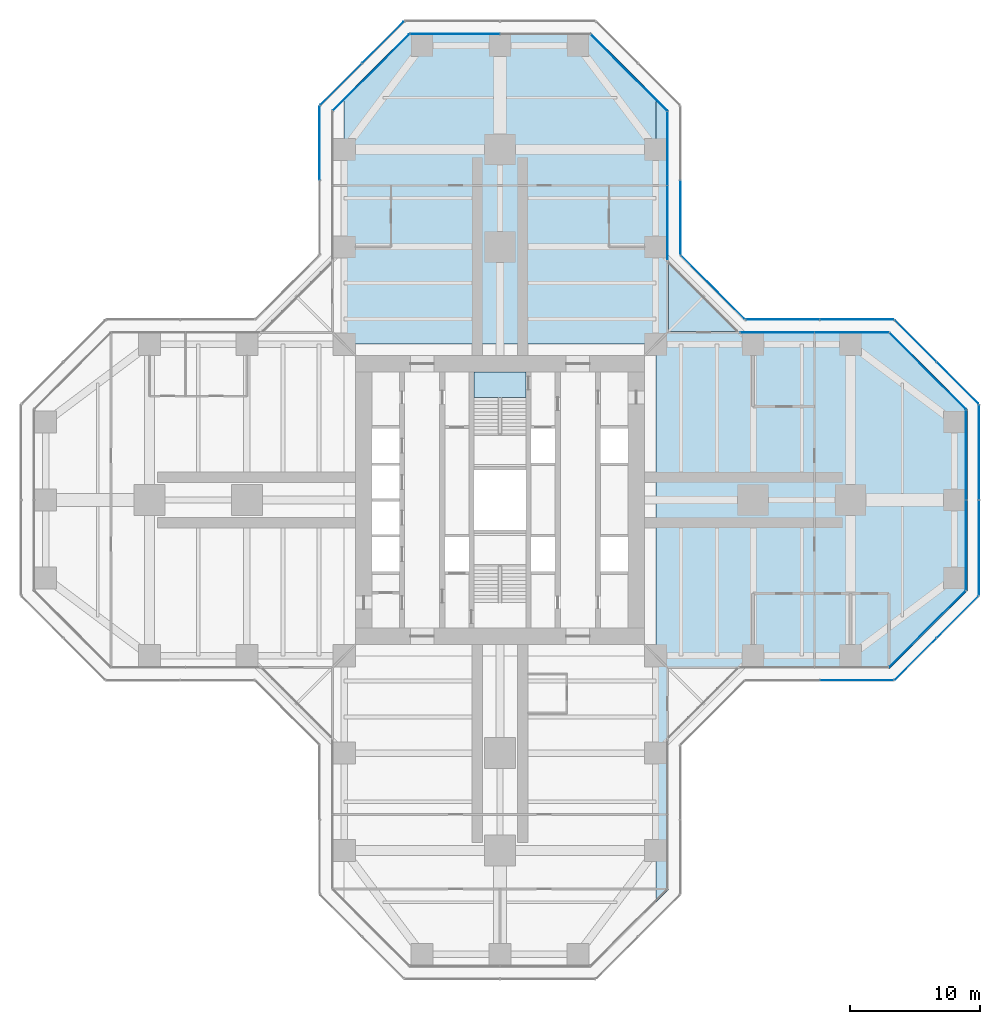
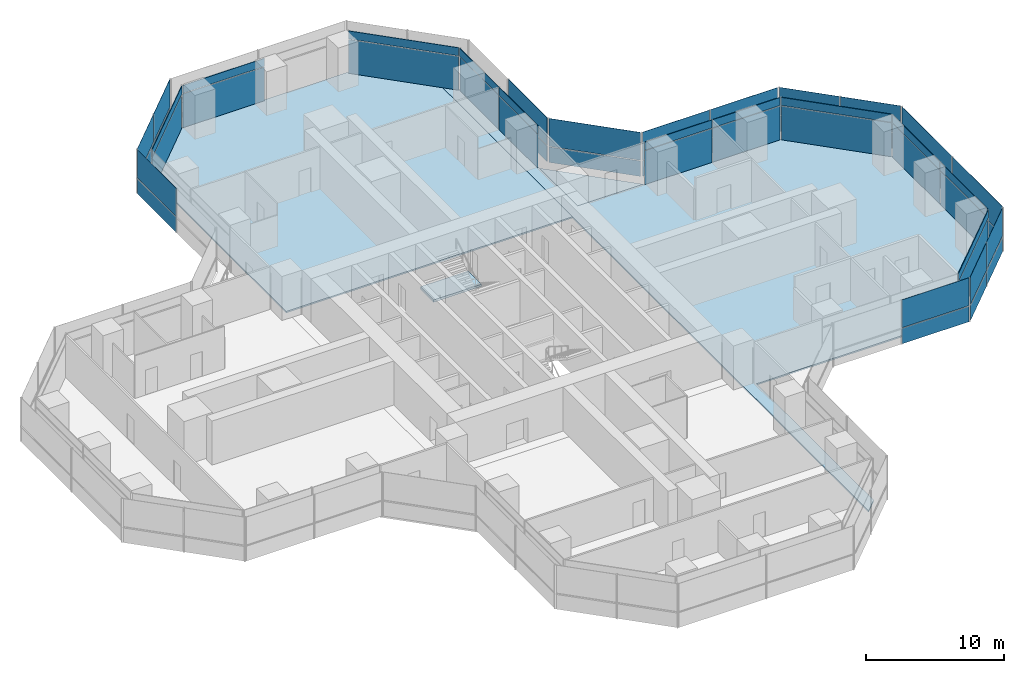
# One storey, part 16 of 22: 50 plates, 4 slabs, 18 elements without a shape of their own.
"""IFC4 building model written with IfcOpenShell, lengths in metres."""

from ifc_helpers import new_model, si_unit, direction, frame, origin, origin_2d, place, context, subcontext, project, spatial, polyline, rectangle, outline, extrude, material, layer, layer_set, type_object, element, aggregate, save


model = new_model("IFC4")

# Units and contexts
model_context = context("Model", 3, precision=1e-05, world=origin(), true_north=direction((0.0, 1.0)))
body_context = subcontext(model_context, "Body", "Model", "MODEL_VIEW")
ifc_project = project(units=[si_unit("LENGTHUNIT", "METRE"), si_unit("AREAUNIT", "SQUARE_METRE"), si_unit("VOLUMEUNIT", "CUBIC_METRE"), si_unit("PLANEANGLEUNIT", "RADIAN"), si_unit("MASSUNIT", "GRAM", prefix="KILO")], contexts=[model_context])

# Site, building, storey
site_placement = place(None, origin())
site = spatial("IfcSite", under=ifc_project, at=site_placement, CompositionType="ELEMENT")
building_placement = place(site_placement, origin())
building = spatial("IfcBuilding", under=site, at=building_placement, Name="Mizan Broadcast Tower", CompositionType="ELEMENT")
storey_placement = place(building_placement, frame((0.0, 0.0, 82.5)))
storey = spatial("IfcBuildingStorey", under=building, at=storey_placement, Name="L17", CompositionType="ELEMENT", Elevation=82.5)

# Slabs
ifc_material_1 = material(Name="Concrete C32/40", Category="concrete")
ifc_layer_1 = layer(ifc_material_1, 0.1298828125)
ifc_layer_set_1 = layer_set([ifc_layer_1], Name="Concrete C32/40")
slab_type_1 = type_object("IfcSlabType", Name="COMPOSITE DECK SLAB 130", PredefinedType="FLOOR", material=ifc_layer_set_1)
slab_1_placement = place(storey_placement, frame((0.0, 0.0, -0.1298828125)))
element("IfcSlab", 1, at=slab_1_placement, inside=storey, type_object=slab_type_1, Name="Floor slab L17 east arm", PredefinedType="FLOOR", context=body_context, shape_type="SweptSolid", body=[
    extrude(outline(polyline([(12.0, -31.0), (13.0, -30.0), (13.0, -13.0), (30.0, -13.0), (36.0, -7.0), (36.0, 7.0), (30.0, 13.0), (13.0, 13.0), (13.0, 30.0), (12.0, 31.0), (12.0, -31.0)])), origin(), (0.0, 0.0, 1.0), 0.1298828125),
])
slab_2_placement = place(storey_placement, frame((0.0, 0.0, -0.1298828125)))
element("IfcSlab", 2, at=slab_2_placement, inside=storey, type_object=slab_type_1, Name="Floor slab L17 north arm", PredefinedType="FLOOR", context=body_context, shape_type="SweptSolid", body=[
    extrude(outline(polyline([(-7.0, 36.0), (-12.0, 31.0), (-12.0, 12.0), (12.0, 12.0), (12.0, 31.0), (7.0, 36.0), (-7.0, 36.0)])), origin(), (0.0, 0.0, 1.0), 0.1298828125),
])

# Curtain wall, plate
ifc_material_2 = material(Name="Aluminium framed glazing", Category="aluminium")
curtain_wall_type_1 = type_object("IfcCurtainWallType", Name="INNER SKIN LOW ZONE", PredefinedType="USERDEFINED", material=ifc_material_2)
curtain_wall_1_placement = place(storey_placement, origin())
curtain_wall_1 = element("IfcCurtainWall", 3, at=curtain_wall_1_placement, inside=storey, type_object=curtain_wall_type_1, Name="Inner skin low zone L17 E chamfer", ObjectType="INNER SKIN LOW ZONE", PredefinedType="USERDEFINED")
ifc_material_3 = material(Name="Double glazing, clear low-e", Category="glass")
ifc_layer_2 = layer(ifc_material_3, 0.028076171875)
ifc_layer_set_2 = layer_set([ifc_layer_2], Name="Double glazing, clear low-e")
plate_type_1 = type_object("IfcPlateType", Name="INNER SKIN GLAZING UNIT", PredefinedType="CURTAIN_PANEL", material=ifc_layer_set_2)
plate_1_placement = place(storey_placement, frame((32.92919921875, -9.92919921875, 0.0), z_axis=(0.0, 0.0, 1.0), x_axis=(0.707106781187, 0.707106781187, 0.0)))
plate_1 = element("IfcPlate", 4, at=plate_1_placement, type_object=plate_type_1, Name="Inner skin low zone L17 E chamfer panel 1.1", PredefinedType="CURTAIN_PANEL", context=body_context, shape_type="SweptSolid", body=[
    extrude(rectangle(XDim=8.282470703125, YDim=0.028076171875, at=origin_2d()), origin(), (0.0, 0.0, 1.0), 3.0),
])

# Curtain wall, plates
curtain_wall_2_placement = place(storey_placement, origin())
curtain_wall_2 = element("IfcCurtainWall", 5, at=curtain_wall_2_placement, inside=storey, type_object=curtain_wall_type_1, Name="Inner skin low zone L17 E end", ObjectType="INNER SKIN LOW ZONE", PredefinedType="USERDEFINED")
plate_2_placement = place(storey_placement, frame((35.89990234375, -3.46435546875, 0.0), z_axis=(0.0, 0.0, 1.0), x_axis=(0.0, 1.0, 0.0)))
plate_2 = element("IfcPlate", 6, at=plate_2_placement, type_object=plate_type_1, Name="Inner skin low zone L17 E end panel 1.1", PredefinedType="CURTAIN_PANEL", context=body_context, shape_type="SweptSolid", body=[
    extrude(rectangle(XDim=6.86865234375, YDim=0.028076171875, at=origin_2d()), origin(), (0.0, 0.0, 1.0), 3.0),
])
plate_3_placement = place(storey_placement, frame((35.89990234375, 3.46435546875, 0.0), z_axis=(0.0, 0.0, 1.0), x_axis=(0.0, 1.0, 0.0)))
plate_3 = element("IfcPlate", 7, at=plate_3_placement, type_object=plate_type_1, Name="Inner skin low zone L17 E end panel 2.1", PredefinedType="CURTAIN_PANEL", context=body_context, shape_type="SweptSolid", body=[
    extrude(rectangle(XDim=6.86865234375, YDim=0.028076171875, at=origin_2d()), origin(), (0.0, 0.0, 1.0), 3.0),
])

# Curtain wall, plate
curtain_wall_3_placement = place(storey_placement, origin())
curtain_wall_3 = element("IfcCurtainWall", 8, at=curtain_wall_3_placement, inside=storey, type_object=curtain_wall_type_1, Name="Inner skin low zone L17 E chamfer", ObjectType="INNER SKIN LOW ZONE", PredefinedType="USERDEFINED")
plate_4_placement = place(storey_placement, frame((32.92919921875, 9.92919921875, 0.0), z_axis=(0.0, 0.0, 1.0), x_axis=(-0.707106781187, 0.707106781187, 0.0)))
plate_4 = element("IfcPlate", 9, at=plate_4_placement, type_object=plate_type_1, Name="Inner skin low zone L17 E chamfer panel 1.1", PredefinedType="CURTAIN_PANEL", context=body_context, shape_type="SweptSolid", body=[
    extrude(rectangle(XDim=8.282470703125, YDim=0.028076171875, at=origin_2d()), origin(), (0.0, 0.0, 1.0), 3.0),
])

# Curtain wall, plates
curtain_wall_4_placement = place(storey_placement, origin())
curtain_wall_4 = element("IfcCurtainWall", 10, at=curtain_wall_4_placement, inside=storey, type_object=curtain_wall_type_1, Name="Inner skin low zone L17 E side", ObjectType="INNER SKIN LOW ZONE", PredefinedType="USERDEFINED")
plate_5_placement = place(storey_placement, frame((27.078857421875, 12.89990234375, 0.0), z_axis=(0.0, 0.0, 1.0), x_axis=(-1.0, 0.0, 0.0)))
plate_5 = element("IfcPlate", 11, at=plate_5_placement, type_object=plate_type_1, Name="Inner skin low zone L17 E side panel 1.1", PredefinedType="CURTAIN_PANEL", context=body_context, shape_type="SweptSolid", body=[
    extrude(rectangle(XDim=5.639404296875, YDim=0.028076171875, at=origin_2d()), origin(), (0.0, 0.0, 1.0), 3.0),
])
plate_6_placement = place(storey_placement, frame((21.379638671875, 12.89990234375, 0.0), z_axis=(0.0, 0.0, 1.0), x_axis=(-1.0, 0.0, 0.0)))
plate_6 = element("IfcPlate", 12, at=plate_6_placement, type_object=plate_type_1, Name="Inner skin low zone L17 E side panel 2.1", PredefinedType="CURTAIN_PANEL", context=body_context, shape_type="SweptSolid", body=[
    extrude(rectangle(XDim=5.639404296875, YDim=0.028076171875, at=origin_2d()), origin(), (0.0, 0.0, 1.0), 3.0),
])

curtain_wall_5_placement = place(storey_placement, origin())
curtain_wall_5 = element("IfcCurtainWall", 13, at=curtain_wall_5_placement, inside=storey, type_object=curtain_wall_type_1, Name="Inner skin low zone L17 N side", ObjectType="INNER SKIN LOW ZONE", PredefinedType="USERDEFINED")
plate_7_placement = place(storey_placement, frame((12.89990234375, 21.379638671875, 0.0), z_axis=(0.0, 0.0, 1.0), x_axis=(0.0, 1.0, 0.0)))
plate_7 = element("IfcPlate", 14, at=plate_7_placement, type_object=plate_type_1, Name="Inner skin low zone L17 N side panel 1.1", PredefinedType="CURTAIN_PANEL", context=body_context, shape_type="SweptSolid", body=[
    extrude(rectangle(XDim=5.639404296875, YDim=0.028076171875, at=origin_2d()), origin(), (0.0, 0.0, 1.0), 3.0),
])
plate_8_placement = place(storey_placement, frame((12.89990234375, 27.078857421875, 0.0), z_axis=(0.0, 0.0, 1.0), x_axis=(0.0, 1.0, 0.0)))
plate_8 = element("IfcPlate", 15, at=plate_8_placement, type_object=plate_type_1, Name="Inner skin low zone L17 N side panel 2.1", PredefinedType="CURTAIN_PANEL", context=body_context, shape_type="SweptSolid", body=[
    extrude(rectangle(XDim=5.639404296875, YDim=0.028076171875, at=origin_2d()), origin(), (0.0, 0.0, 1.0), 3.0),
])

# Curtain wall, plate
curtain_wall_6_placement = place(storey_placement, origin())
curtain_wall_6 = element("IfcCurtainWall", 16, at=curtain_wall_6_placement, inside=storey, type_object=curtain_wall_type_1, Name="Inner skin low zone L17 N chamfer", ObjectType="INNER SKIN LOW ZONE", PredefinedType="USERDEFINED")
plate_9_placement = place(storey_placement, frame((9.92919921875, 32.92919921875, 0.0), z_axis=(0.0, 0.0, 1.0), x_axis=(-0.707106781187, 0.707106781187, 0.0)))
plate_9 = element("IfcPlate", 17, at=plate_9_placement, type_object=plate_type_1, Name="Inner skin low zone L17 N chamfer panel 1.1", PredefinedType="CURTAIN_PANEL", context=body_context, shape_type="SweptSolid", body=[
    extrude(rectangle(XDim=8.282470703125, YDim=0.028076171875, at=origin_2d()), origin(), (0.0, 0.0, 1.0), 3.0),
])

curtain_wall_7_placement = place(storey_placement, origin())
curtain_wall_7 = element("IfcCurtainWall", 18, at=curtain_wall_7_placement, inside=storey, type_object=curtain_wall_type_1, Name="Inner skin low zone L17 N end", ObjectType="INNER SKIN LOW ZONE", PredefinedType="USERDEFINED")
plate_10_placement = place(storey_placement, frame((-3.46435546875, 35.89990234375, 0.0), z_axis=(0.0, 0.0, 1.0), x_axis=(-1.0, 0.0, 0.0)))
plate_10 = element("IfcPlate", 19, at=plate_10_placement, type_object=plate_type_1, Name="Inner skin low zone L17 N end panel 2.1", PredefinedType="CURTAIN_PANEL", context=body_context, shape_type="SweptSolid", body=[
    extrude(rectangle(XDim=6.86865234375, YDim=0.028076171875, at=origin_2d()), origin(), (0.0, 0.0, 1.0), 3.0),
])

curtain_wall_8_placement = place(storey_placement, origin())
curtain_wall_8 = element("IfcCurtainWall", 20, at=curtain_wall_8_placement, inside=storey, type_object=curtain_wall_type_1, Name="Inner skin low zone L17 N chamfer", ObjectType="INNER SKIN LOW ZONE", PredefinedType="USERDEFINED")
plate_11_placement = place(storey_placement, frame((-9.92919921875, 32.92919921875, 0.0), z_axis=(0.0, 0.0, 1.0), x_axis=(-0.707106781187, -0.707106781187, 0.0)))
plate_11 = element("IfcPlate", 21, at=plate_11_placement, type_object=plate_type_1, Name="Inner skin low zone L17 N chamfer panel 1.1", PredefinedType="CURTAIN_PANEL", context=body_context, shape_type="SweptSolid", body=[
    extrude(rectangle(XDim=8.282470703125, YDim=0.028076171875, at=origin_2d()), origin(), (0.0, 0.0, 1.0), 3.0),
])

# Plate
ifc_material_4 = material(Name="Insulated aluminium spandrel panel, pale anodised", Category="aluminium")
ifc_layer_3 = layer(ifc_material_4, 0.050048828125)
ifc_layer_set_3 = layer_set([ifc_layer_3], Name="Insulated aluminium spandrel panel, pale anodised")
plate_type_2 = type_object("IfcPlateType", Name="INNER SKIN SPANDREL PANEL", PredefinedType="CURTAIN_PANEL", material=ifc_layer_set_3)
plate_12_placement = place(storey_placement, frame((32.92919921875, -9.92919921875, 3.06005859375), z_axis=(0.0, 0.0, 1.0), x_axis=(0.707106781187, 0.707106781187, 0.0)))
plate_12 = element("IfcPlate", 22, at=plate_12_placement, type_object=plate_type_2, Name="Inner skin low zone L17 E chamfer panel 1.2", PredefinedType="CURTAIN_PANEL", context=body_context, shape_type="SweptSolid", body=[
    extrude(rectangle(XDim=8.282470703125, YDim=0.050048828125, at=origin_2d()), origin(), (0.0, 0.0, 1.0), 0.7099609375),
])

aggregate(curtain_wall_1, [plate_1, plate_12])

plate_13_placement = place(storey_placement, frame((35.89990234375, -3.46435546875, 3.06005859375), z_axis=(0.0, 0.0, 1.0), x_axis=(0.0, 1.0, 0.0)))
plate_13 = element("IfcPlate", 23, at=plate_13_placement, type_object=plate_type_2, Name="Inner skin low zone L17 E end panel 1.2", PredefinedType="CURTAIN_PANEL", context=body_context, shape_type="SweptSolid", body=[
    extrude(rectangle(XDim=6.86865234375, YDim=0.050048828125, at=origin_2d()), origin(), (0.0, 0.0, 1.0), 0.7099609375),
])

plate_14_placement = place(storey_placement, frame((35.89990234375, 3.46435546875, 3.06005859375), z_axis=(0.0, 0.0, 1.0), x_axis=(0.0, 1.0, 0.0)))
plate_14 = element("IfcPlate", 24, at=plate_14_placement, type_object=plate_type_2, Name="Inner skin low zone L17 E end panel 2.2", PredefinedType="CURTAIN_PANEL", context=body_context, shape_type="SweptSolid", body=[
    extrude(rectangle(XDim=6.86865234375, YDim=0.050048828125, at=origin_2d()), origin(), (0.0, 0.0, 1.0), 0.7099609375),
])

aggregate(curtain_wall_2, [plate_2, plate_13, plate_3, plate_14])

plate_15_placement = place(storey_placement, frame((32.92919921875, 9.92919921875, 3.06005859375), z_axis=(0.0, 0.0, 1.0), x_axis=(-0.707106781187, 0.707106781187, 0.0)))
plate_15 = element("IfcPlate", 25, at=plate_15_placement, type_object=plate_type_2, Name="Inner skin low zone L17 E chamfer panel 1.2", PredefinedType="CURTAIN_PANEL", context=body_context, shape_type="SweptSolid", body=[
    extrude(rectangle(XDim=8.282470703125, YDim=0.050048828125, at=origin_2d()), origin(), (0.0, 0.0, 1.0), 0.7099609375),
])

aggregate(curtain_wall_3, [plate_4, plate_15])

plate_16_placement = place(storey_placement, frame((27.078857421875, 12.89990234375, 3.06005859375), z_axis=(0.0, 0.0, 1.0), x_axis=(-1.0, 0.0, 0.0)))
plate_16 = element("IfcPlate", 26, at=plate_16_placement, type_object=plate_type_2, Name="Inner skin low zone L17 E side panel 1.2", PredefinedType="CURTAIN_PANEL", context=body_context, shape_type="SweptSolid", body=[
    extrude(rectangle(XDim=5.639404296875, YDim=0.050048828125, at=origin_2d()), origin(), (0.0, 0.0, 1.0), 0.7099609375),
])

plate_17_placement = place(storey_placement, frame((21.379638671875, 12.89990234375, 3.06005859375), z_axis=(0.0, 0.0, 1.0), x_axis=(-1.0, 0.0, 0.0)))
plate_17 = element("IfcPlate", 27, at=plate_17_placement, type_object=plate_type_2, Name="Inner skin low zone L17 E side panel 2.2", PredefinedType="CURTAIN_PANEL", context=body_context, shape_type="SweptSolid", body=[
    extrude(rectangle(XDim=5.639404296875, YDim=0.050048828125, at=origin_2d()), origin(), (0.0, 0.0, 1.0), 0.7099609375),
])

aggregate(curtain_wall_4, [plate_5, plate_16, plate_6, plate_17])

plate_18_placement = place(storey_placement, frame((12.89990234375, 21.379638671875, 3.06005859375), z_axis=(0.0, 0.0, 1.0), x_axis=(0.0, 1.0, 0.0)))
plate_18 = element("IfcPlate", 28, at=plate_18_placement, type_object=plate_type_2, Name="Inner skin low zone L17 N side panel 1.2", PredefinedType="CURTAIN_PANEL", context=body_context, shape_type="SweptSolid", body=[
    extrude(rectangle(XDim=5.639404296875, YDim=0.050048828125, at=origin_2d()), origin(), (0.0, 0.0, 1.0), 0.7099609375),
])

plate_19_placement = place(storey_placement, frame((12.89990234375, 27.078857421875, 3.06005859375), z_axis=(0.0, 0.0, 1.0), x_axis=(0.0, 1.0, 0.0)))
plate_19 = element("IfcPlate", 29, at=plate_19_placement, type_object=plate_type_2, Name="Inner skin low zone L17 N side panel 2.2", PredefinedType="CURTAIN_PANEL", context=body_context, shape_type="SweptSolid", body=[
    extrude(rectangle(XDim=5.639404296875, YDim=0.050048828125, at=origin_2d()), origin(), (0.0, 0.0, 1.0), 0.7099609375),
])

aggregate(curtain_wall_5, [plate_7, plate_18, plate_8, plate_19])

plate_20_placement = place(storey_placement, frame((9.92919921875, 32.92919921875, 3.06005859375), z_axis=(0.0, 0.0, 1.0), x_axis=(-0.707106781187, 0.707106781187, 0.0)))
plate_20 = element("IfcPlate", 30, at=plate_20_placement, type_object=plate_type_2, Name="Inner skin low zone L17 N chamfer panel 1.2", PredefinedType="CURTAIN_PANEL", context=body_context, shape_type="SweptSolid", body=[
    extrude(rectangle(XDim=8.282470703125, YDim=0.050048828125, at=origin_2d()), origin(), (0.0, 0.0, 1.0), 0.7099609375),
])

aggregate(curtain_wall_6, [plate_9, plate_20])

plate_21_placement = place(storey_placement, frame((-3.46435546875, 35.89990234375, 3.06005859375), z_axis=(0.0, 0.0, 1.0), x_axis=(-1.0, 0.0, 0.0)))
plate_21 = element("IfcPlate", 31, at=plate_21_placement, type_object=plate_type_2, Name="Inner skin low zone L17 N end panel 2.2", PredefinedType="CURTAIN_PANEL", context=body_context, shape_type="SweptSolid", body=[
    extrude(rectangle(XDim=6.86865234375, YDim=0.050048828125, at=origin_2d()), origin(), (0.0, 0.0, 1.0), 0.7099609375),
])

aggregate(curtain_wall_7, [plate_10, plate_21])

plate_22_placement = place(storey_placement, frame((-9.92919921875, 32.92919921875, 3.06005859375), z_axis=(0.0, 0.0, 1.0), x_axis=(-0.707106781187, -0.707106781187, 0.0)))
plate_22 = element("IfcPlate", 32, at=plate_22_placement, type_object=plate_type_2, Name="Inner skin low zone L17 N chamfer panel 1.2", PredefinedType="CURTAIN_PANEL", context=body_context, shape_type="SweptSolid", body=[
    extrude(rectangle(XDim=8.282470703125, YDim=0.050048828125, at=origin_2d()), origin(), (0.0, 0.0, 1.0), 0.7099609375),
])

aggregate(curtain_wall_8, [plate_11, plate_22])

# Curtain wall, plates
ifc_material_5 = material(Name="Aluminium framed glazing", Category="aluminium")
curtain_wall_type_2 = type_object("IfcCurtainWallType", Name="OUTER SKIN", PredefinedType="USERDEFINED", material=ifc_material_5)
curtain_wall_9_placement = place(storey_placement, origin())
curtain_wall_9 = element("IfcCurtainWall", 33, at=curtain_wall_9_placement, inside=storey, type_object=curtain_wall_type_2, Name="Outer skin L17 E chamfer", ObjectType="OUTER SKIN", PredefinedType="USERDEFINED")
ifc_material_6 = material(Name="Laminated clear glass", Category="glass")
ifc_layer_4 = layer(ifc_material_6, 0.02001953125)
ifc_layer_set_4 = layer_set([ifc_layer_4], Name="Laminated clear glass")
plate_type_3 = type_object("IfcPlateType", Name="OUTER SKIN CLEAR GLASS", PredefinedType="CURTAIN_PANEL", material=ifc_layer_set_4)
plate_23_placement = place(storey_placement, frame((32.018798828125, -12.254150390625, 0.0), z_axis=(0.0, 0.0, 1.0), x_axis=(0.707106781187, 0.707106781187, 0.0)))
plate_23 = element("IfcPlate", 34, at=plate_23_placement, type_object=plate_type_3, Name="Outer skin L17 E chamfer panel 1.1", PredefinedType="CURTAIN_PANEL", context=body_context, shape_type="SweptSolid", body=[
    extrude(rectangle(XDim=4.495361328125, YDim=0.02001953125, at=origin_2d()), origin(), (0.0, 0.0, 1.0), 1.3701171875),
])
plate_24_placement = place(storey_placement, frame((32.018798828125, -12.254150390625, 1.43017578125), z_axis=(0.0, 0.0, 1.0), x_axis=(0.707106781187, 0.707106781187, 0.0)))
plate_24 = element("IfcPlate", 35, at=plate_24_placement, type_object=plate_type_3, Name="Outer skin L17 E chamfer panel 1.2", PredefinedType="CURTAIN_PANEL", context=body_context, shape_type="SweptSolid", body=[
    extrude(rectangle(XDim=4.495361328125, YDim=0.02001953125, at=origin_2d()), origin(), (0.0, 0.0, 1.0), 2.469970703125),
])

curtain_wall_10_placement = place(storey_placement, origin())
curtain_wall_10 = element("IfcCurtainWall", 36, at=curtain_wall_10_placement, inside=storey, type_object=curtain_wall_type_2, Name="Outer skin L17 E end", ObjectType="OUTER SKIN", PredefinedType="USERDEFINED")
plate_25_placement = place(storey_placement, frame((36.89990234375, -3.66650390625, 0.0), z_axis=(0.0, 0.0, 1.0), x_axis=(0.0, 1.0, 0.0)))
plate_25 = element("IfcPlate", 37, at=plate_25_placement, type_object=plate_type_3, Name="Outer skin L17 E end panel 1.1", PredefinedType="CURTAIN_PANEL", context=body_context, shape_type="SweptSolid", body=[
    extrude(rectangle(XDim=7.252685546875, YDim=0.02001953125, at=origin_2d()), origin(), (0.0, 0.0, 1.0), 1.3701171875),
])
plate_26_placement = place(storey_placement, frame((36.89990234375, -3.66650390625, 1.43017578125), z_axis=(0.0, 0.0, 1.0), x_axis=(0.0, 1.0, 0.0)))
plate_26 = element("IfcPlate", 38, at=plate_26_placement, type_object=plate_type_3, Name="Outer skin L17 E end panel 1.2", PredefinedType="CURTAIN_PANEL", context=body_context, shape_type="SweptSolid", body=[
    extrude(rectangle(XDim=7.252685546875, YDim=0.02001953125, at=origin_2d()), origin(), (0.0, 0.0, 1.0), 2.469970703125),
])

curtain_wall_11_placement = place(storey_placement, origin())
curtain_wall_11 = element("IfcCurtainWall", 39, at=curtain_wall_11_placement, inside=storey, type_object=curtain_wall_type_2, Name="Outer skin L17 E chamfer", ObjectType="OUTER SKIN", PredefinedType="USERDEFINED")
plate_27_placement = place(storey_placement, frame((35.254150390625, 9.018798828125, 0.0), z_axis=(0.0, 0.0, 1.0), x_axis=(-0.707106781187, 0.707106781187, 0.0)))
plate_27 = element("IfcPlate", 40, at=plate_27_placement, type_object=plate_type_3, Name="Outer skin L17 E chamfer panel 1.1", PredefinedType="CURTAIN_PANEL", context=body_context, shape_type="SweptSolid", body=[
    extrude(rectangle(XDim=4.495361328125, YDim=0.02001953125, at=origin_2d()), origin(), (0.0, 0.0, 1.0), 1.3701171875),
])
plate_28_placement = place(storey_placement, frame((35.254150390625, 9.018798828125, 1.43017578125), z_axis=(0.0, 0.0, 1.0), x_axis=(-0.707106781187, 0.707106781187, 0.0)))
plate_28 = element("IfcPlate", 41, at=plate_28_placement, type_object=plate_type_3, Name="Outer skin L17 E chamfer panel 1.2", PredefinedType="CURTAIN_PANEL", context=body_context, shape_type="SweptSolid", body=[
    extrude(rectangle(XDim=4.495361328125, YDim=0.02001953125, at=origin_2d()), origin(), (0.0, 0.0, 1.0), 2.469970703125),
])

curtain_wall_12_placement = place(storey_placement, origin())
curtain_wall_12 = element("IfcCurtainWall", 42, at=curtain_wall_12_placement, inside=storey, type_object=curtain_wall_type_2, Name="Outer skin L17 E side", ObjectType="OUTER SKIN", PredefinedType="USERDEFINED")
plate_29_placement = place(storey_placement, frame((27.477783203125, 13.89990234375, 0.0), z_axis=(0.0, 0.0, 1.0), x_axis=(-1.0, 0.0, 0.0)))
plate_29 = element("IfcPlate", 43, at=plate_29_placement, type_object=plate_type_3, Name="Outer skin L17 E side panel 1.1", PredefinedType="CURTAIN_PANEL", context=body_context, shape_type="SweptSolid", body=[
    extrude(rectangle(XDim=5.6298828125, YDim=0.02001953125, at=origin_2d()), origin(), (0.0, 0.0, 1.0), 1.3701171875),
])
plate_30_placement = place(storey_placement, frame((27.477783203125, 13.89990234375, 1.43017578125), z_axis=(0.0, 0.0, 1.0), x_axis=(-1.0, 0.0, 0.0)))
plate_30 = element("IfcPlate", 44, at=plate_30_placement, type_object=plate_type_3, Name="Outer skin L17 E side panel 1.2", PredefinedType="CURTAIN_PANEL", context=body_context, shape_type="SweptSolid", body=[
    extrude(rectangle(XDim=5.6298828125, YDim=0.02001953125, at=origin_2d()), origin(), (0.0, 0.0, 1.0), 2.469970703125),
])
plate_31_placement = place(storey_placement, frame((21.767822265625, 13.89990234375, 0.0), z_axis=(0.0, 0.0, 1.0), x_axis=(-1.0, 0.0, 0.0)))
plate_31 = element("IfcPlate", 45, at=plate_31_placement, type_object=plate_type_3, Name="Outer skin L17 E side panel 2.1", PredefinedType="CURTAIN_PANEL", context=body_context, shape_type="SweptSolid", body=[
    extrude(rectangle(XDim=5.6298828125, YDim=0.02001953125, at=origin_2d()), origin(), (0.0, 0.0, 1.0), 1.3701171875),
])
plate_32_placement = place(storey_placement, frame((21.767822265625, 13.89990234375, 1.43017578125), z_axis=(0.0, 0.0, 1.0), x_axis=(-1.0, 0.0, 0.0)))
plate_32 = element("IfcPlate", 46, at=plate_32_placement, type_object=plate_type_3, Name="Outer skin L17 E side panel 2.2", PredefinedType="CURTAIN_PANEL", context=body_context, shape_type="SweptSolid", body=[
    extrude(rectangle(XDim=5.6298828125, YDim=0.02001953125, at=origin_2d()), origin(), (0.0, 0.0, 1.0), 2.469970703125),
])
aggregate(curtain_wall_12, [plate_29, plate_30, plate_31, plate_32])

curtain_wall_13_placement = place(storey_placement, origin())
curtain_wall_13 = element("IfcCurtainWall", 47, at=curtain_wall_13_placement, inside=storey, type_object=curtain_wall_type_2, Name="Outer skin L17 E chamfer", ObjectType="OUTER SKIN", PredefinedType="USERDEFINED")
plate_33_placement = place(storey_placement, frame((16.386474609375, 16.386474609375, 0.0), z_axis=(0.0, 0.0, 1.0), x_axis=(-0.707106781187, 0.707106781187, 0.0)))
plate_33 = element("IfcPlate", 48, at=plate_33_placement, type_object=plate_type_3, Name="Outer skin L17 E chamfer panel 1.1", PredefinedType="CURTAIN_PANEL", context=body_context, shape_type="SweptSolid", body=[
    extrude(rectangle(XDim=6.87255859375, YDim=0.02001953125, at=origin_2d()), origin(), (0.0, 0.0, 1.0), 1.3701171875),
])
plate_34_placement = place(storey_placement, frame((16.386474609375, 16.386474609375, 1.43017578125), z_axis=(0.0, 0.0, 1.0), x_axis=(-0.707106781187, 0.707106781187, 0.0)))
plate_34 = element("IfcPlate", 49, at=plate_34_placement, type_object=plate_type_3, Name="Outer skin L17 E chamfer panel 1.2", PredefinedType="CURTAIN_PANEL", context=body_context, shape_type="SweptSolid", body=[
    extrude(rectangle(XDim=6.87255859375, YDim=0.02001953125, at=origin_2d()), origin(), (0.0, 0.0, 1.0), 2.469970703125),
])
aggregate(curtain_wall_13, [plate_33, plate_34])

curtain_wall_14_placement = place(storey_placement, origin())
curtain_wall_14 = element("IfcCurtainWall", 50, at=curtain_wall_14_placement, inside=storey, type_object=curtain_wall_type_2, Name="Outer skin L17 N side", ObjectType="OUTER SKIN", PredefinedType="USERDEFINED")
plate_35_placement = place(storey_placement, frame((13.89990234375, 21.767822265625, 0.0), z_axis=(0.0, 0.0, 1.0), x_axis=(0.0, 1.0, 0.0)))
plate_35 = element("IfcPlate", 51, at=plate_35_placement, type_object=plate_type_3, Name="Outer skin L17 N side panel 1.1", PredefinedType="CURTAIN_PANEL", context=body_context, shape_type="SweptSolid", body=[
    extrude(rectangle(XDim=5.6298828125, YDim=0.02001953125, at=origin_2d()), origin(), (0.0, 0.0, 1.0), 1.3701171875),
])
plate_36_placement = place(storey_placement, frame((13.89990234375, 21.767822265625, 1.43017578125), z_axis=(0.0, 0.0, 1.0), x_axis=(0.0, 1.0, 0.0)))
plate_36 = element("IfcPlate", 52, at=plate_36_placement, type_object=plate_type_3, Name="Outer skin L17 N side panel 1.2", PredefinedType="CURTAIN_PANEL", context=body_context, shape_type="SweptSolid", body=[
    extrude(rectangle(XDim=5.6298828125, YDim=0.02001953125, at=origin_2d()), origin(), (0.0, 0.0, 1.0), 2.469970703125),
])
aggregate(curtain_wall_14, [plate_35, plate_36])

curtain_wall_15_placement = place(storey_placement, origin())
curtain_wall_15 = element("IfcCurtainWall", 53, at=curtain_wall_15_placement, inside=storey, type_object=curtain_wall_type_2, Name="Outer skin L17 N chamfer", ObjectType="OUTER SKIN", PredefinedType="USERDEFINED")
plate_37_placement = place(storey_placement, frame((-9.018798828125, 35.254150390625, 0.0), z_axis=(0.0, 0.0, 1.0), x_axis=(-0.707106781187, -0.707106781187, 0.0)))
plate_37 = element("IfcPlate", 54, at=plate_37_placement, type_object=plate_type_3, Name="Outer skin L17 N chamfer panel 1.1", PredefinedType="CURTAIN_PANEL", context=body_context, shape_type="SweptSolid", body=[
    extrude(rectangle(XDim=4.495361328125, YDim=0.02001953125, at=origin_2d()), origin(), (0.0, 0.0, 1.0), 1.3701171875),
])
plate_38_placement = place(storey_placement, frame((-9.018798828125, 35.254150390625, 1.43017578125), z_axis=(0.0, 0.0, 1.0), x_axis=(-0.707106781187, -0.707106781187, 0.0)))
plate_38 = element("IfcPlate", 55, at=plate_38_placement, type_object=plate_type_3, Name="Outer skin L17 N chamfer panel 1.2", PredefinedType="CURTAIN_PANEL", context=body_context, shape_type="SweptSolid", body=[
    extrude(rectangle(XDim=4.495361328125, YDim=0.02001953125, at=origin_2d()), origin(), (0.0, 0.0, 1.0), 2.469970703125),
])

curtain_wall_16_placement = place(storey_placement, origin())
curtain_wall_16 = element("IfcCurtainWall", 56, at=curtain_wall_16_placement, inside=storey, type_object=curtain_wall_type_2, Name="Outer skin L17 N side", ObjectType="OUTER SKIN", PredefinedType="USERDEFINED")
plate_39_placement = place(storey_placement, frame((-13.89990234375, 27.477783203125, 0.0), z_axis=(0.0, 0.0, 1.0), x_axis=(0.0, -1.0, 0.0)))
plate_39 = element("IfcPlate", 57, at=plate_39_placement, type_object=plate_type_3, Name="Outer skin L17 N side panel 1.1", PredefinedType="CURTAIN_PANEL", context=body_context, shape_type="SweptSolid", body=[
    extrude(rectangle(XDim=5.6298828125, YDim=0.02001953125, at=origin_2d()), origin(), (0.0, 0.0, 1.0), 1.3701171875),
])
plate_40_placement = place(storey_placement, frame((-13.89990234375, 27.477783203125, 1.43017578125), z_axis=(0.0, 0.0, 1.0), x_axis=(0.0, -1.0, 0.0)))
plate_40 = element("IfcPlate", 58, at=plate_40_placement, type_object=plate_type_3, Name="Outer skin L17 N side panel 1.2", PredefinedType="CURTAIN_PANEL", context=body_context, shape_type="SweptSolid", body=[
    extrude(rectangle(XDim=5.6298828125, YDim=0.02001953125, at=origin_2d()), origin(), (0.0, 0.0, 1.0), 2.469970703125),
])
aggregate(curtain_wall_16, [plate_39, plate_40])

# Plate
ifc_material_7 = material(Name="Perforated aluminium, pale anodised", Category="aluminium")
ifc_layer_5 = layer(ifc_material_7, 0.011962890625)
ifc_layer_set_5 = layer_set([ifc_layer_5], Name="Perforated aluminium, pale anodised")
plate_type_4 = type_object("IfcPlateType", Name="OUTER SKIN PERFORATED SCREEN", PredefinedType="USERDEFINED", material=ifc_layer_set_5)
plate_41_placement = place(storey_placement, frame((35.254150390625, -9.018798828125, 0.0), z_axis=(0.0, 0.0, 1.0), x_axis=(0.707106781187, 0.707106781187, 0.0)))
plate_41 = element("IfcPlate", 59, at=plate_41_placement, type_object=plate_type_4, Name="Outer skin L17 E chamfer panel 2.1", ObjectType="SCREEN", PredefinedType="USERDEFINED", context=body_context, shape_type="SweptSolid", body=[
    extrude(rectangle(XDim=4.495361328125, YDim=0.011962890625, at=origin_2d()), origin(), (0.0, 0.0, 1.0), 1.3701171875),
])

plate_42_placement = place(storey_placement, frame((35.254150390625, -9.018798828125, 1.43017578125), z_axis=(0.0, 0.0, 1.0), x_axis=(0.707106781187, 0.707106781187, 0.0)))
plate_42 = element("IfcPlate", 60, at=plate_42_placement, type_object=plate_type_4, Name="Outer skin L17 E chamfer panel 2.2", ObjectType="SCREEN", PredefinedType="USERDEFINED", context=body_context, shape_type="SweptSolid", body=[
    extrude(rectangle(XDim=4.495361328125, YDim=0.011962890625, at=origin_2d()), origin(), (0.0, 0.0, 1.0), 2.469970703125),
])

aggregate(curtain_wall_9, [plate_23, plate_24, plate_41, plate_42])

plate_43_placement = place(storey_placement, frame((36.89990234375, 3.66650390625, 0.0), z_axis=(0.0, 0.0, 1.0), x_axis=(0.0, 1.0, 0.0)))
plate_43 = element("IfcPlate", 61, at=plate_43_placement, type_object=plate_type_4, Name="Outer skin L17 E end panel 2.1", ObjectType="SCREEN", PredefinedType="USERDEFINED", context=body_context, shape_type="SweptSolid", body=[
    extrude(rectangle(XDim=7.252685546875, YDim=0.011962890625, at=origin_2d()), origin(), (0.0, 0.0, 1.0), 1.3701171875),
])

plate_44_placement = place(storey_placement, frame((36.89990234375, 3.66650390625, 1.43017578125), z_axis=(0.0, 0.0, 1.0), x_axis=(0.0, 1.0, 0.0)))
plate_44 = element("IfcPlate", 62, at=plate_44_placement, type_object=plate_type_4, Name="Outer skin L17 E end panel 2.2", ObjectType="SCREEN", PredefinedType="USERDEFINED", context=body_context, shape_type="SweptSolid", body=[
    extrude(rectangle(XDim=7.252685546875, YDim=0.011962890625, at=origin_2d()), origin(), (0.0, 0.0, 1.0), 2.469970703125),
])

aggregate(curtain_wall_10, [plate_25, plate_26, plate_43, plate_44])

plate_45_placement = place(storey_placement, frame((32.018798828125, 12.254150390625, 0.0), z_axis=(0.0, 0.0, 1.0), x_axis=(-0.707106781187, 0.707106781187, 0.0)))
plate_45 = element("IfcPlate", 63, at=plate_45_placement, type_object=plate_type_4, Name="Outer skin L17 E chamfer panel 2.1", ObjectType="SCREEN", PredefinedType="USERDEFINED", context=body_context, shape_type="SweptSolid", body=[
    extrude(rectangle(XDim=4.495361328125, YDim=0.011962890625, at=origin_2d()), origin(), (0.0, 0.0, 1.0), 1.3701171875),
])

plate_46_placement = place(storey_placement, frame((32.018798828125, 12.254150390625, 1.43017578125), z_axis=(0.0, 0.0, 1.0), x_axis=(-0.707106781187, 0.707106781187, 0.0)))
plate_46 = element("IfcPlate", 64, at=plate_46_placement, type_object=plate_type_4, Name="Outer skin L17 E chamfer panel 2.2", ObjectType="SCREEN", PredefinedType="USERDEFINED", context=body_context, shape_type="SweptSolid", body=[
    extrude(rectangle(XDim=4.495361328125, YDim=0.011962890625, at=origin_2d()), origin(), (0.0, 0.0, 1.0), 2.469970703125),
])

aggregate(curtain_wall_11, [plate_27, plate_28, plate_45, plate_46])

plate_47_placement = place(storey_placement, frame((-12.254150390625, 32.018798828125, 0.0), z_axis=(0.0, 0.0, 1.0), x_axis=(-0.707106781187, -0.707106781187, 0.0)))
plate_47 = element("IfcPlate", 65, at=plate_47_placement, type_object=plate_type_4, Name="Outer skin L17 N chamfer panel 2.1", ObjectType="SCREEN", PredefinedType="USERDEFINED", context=body_context, shape_type="SweptSolid", body=[
    extrude(rectangle(XDim=4.495361328125, YDim=0.011962890625, at=origin_2d()), origin(), (0.0, 0.0, 1.0), 1.3701171875),
])

plate_48_placement = place(storey_placement, frame((-12.254150390625, 32.018798828125, 1.43017578125), z_axis=(0.0, 0.0, 1.0), x_axis=(-0.707106781187, -0.707106781187, 0.0)))
plate_48 = element("IfcPlate", 66, at=plate_48_placement, type_object=plate_type_4, Name="Outer skin L17 N chamfer panel 2.2", ObjectType="SCREEN", PredefinedType="USERDEFINED", context=body_context, shape_type="SweptSolid", body=[
    extrude(rectangle(XDim=4.495361328125, YDim=0.011962890625, at=origin_2d()), origin(), (0.0, 0.0, 1.0), 2.469970703125),
])

aggregate(curtain_wall_15, [plate_37, plate_38, plate_47, plate_48])

# Curtain wall, plates
curtain_wall_17_placement = place(storey_placement, origin())
curtain_wall_17 = element("IfcCurtainWall", 67, at=curtain_wall_17_placement, inside=storey, type_object=curtain_wall_type_2, Name="Outer skin L17 E side", ObjectType="OUTER SKIN", PredefinedType="USERDEFINED")
plate_49_placement = place(storey_placement, frame((27.477783203125, -13.89990234375, 0.0), z_axis=(0.0, 0.0, 1.0), x_axis=(1.0, 0.0, 0.0)))
plate_49 = element("IfcPlate", 68, at=plate_49_placement, type_object=plate_type_4, Name="Outer skin L17 E side panel 2.1", ObjectType="SCREEN", PredefinedType="USERDEFINED", context=body_context, shape_type="SweptSolid", body=[
    extrude(rectangle(XDim=5.6298828125, YDim=0.011962890625, at=origin_2d()), origin(), (0.0, 0.0, 1.0), 1.3701171875),
])
plate_50_placement = place(storey_placement, frame((27.477783203125, -13.89990234375, 1.43017578125), z_axis=(0.0, 0.0, 1.0), x_axis=(1.0, 0.0, 0.0)))
plate_50 = element("IfcPlate", 69, at=plate_50_placement, type_object=plate_type_4, Name="Outer skin L17 E side panel 2.2", ObjectType="SCREEN", PredefinedType="USERDEFINED", context=body_context, shape_type="SweptSolid", body=[
    extrude(rectangle(XDim=5.6298828125, YDim=0.011962890625, at=origin_2d()), origin(), (0.0, 0.0, 1.0), 2.469970703125),
])
aggregate(curtain_wall_17, [plate_49, plate_50])

# Stair, slab
ifc_material_8 = material(Name="Concrete C40/50", Category="concrete")
stair_type = type_object("IfcStairType", Name="EXIT STAIR", PredefinedType="HALF_TURN_STAIR", material=ifc_material_8)
stair_placement = place(storey_placement, origin())
stair = element("IfcStair", 70, at=stair_placement, inside=storey, type_object=stair_type, Name="Stair B L17", PredefinedType="HALF_TURN_STAIR")
ifc_material_9 = material(Name="Concrete C40/50", Category="concrete")
ifc_layer_6 = layer(ifc_material_9, 0.199951171875)
ifc_layer_set_6 = layer_set([ifc_layer_6], Name="Concrete C40/50")
slab_type_2 = type_object("IfcSlabType", Name="STAIR LANDING 200", PredefinedType="LANDING", material=ifc_layer_set_6)
slab_3_placement = place(storey_placement, frame((0.0, 0.0, -0.199951171875)))
slab_3 = element("IfcSlab", 71, at=slab_3_placement, type_object=slab_type_2, Name="B landing 1", PredefinedType="LANDING", context=body_context, shape_type="SweptSolid", body=[
    extrude(outline(polyline([(2.0, 9.85009765625), (2.0, 7.89990234375), (-2.0, 7.89990234375), (-2.0, 9.85009765625), (2.0, 9.85009765625)])), origin(), (0.0, 0.0, 1.0), 0.199951171875),
])
aggregate(stair, [slab_3])

# Slab
ifc_material_10 = material(Name="Concrete C32/40", Category="concrete")
ifc_layer_7 = layer(ifc_material_10, 0.1298828125)
ifc_layer_set_7 = layer_set([ifc_layer_7], Name="Concrete C32/40")
slab_type_3 = type_object("IfcSlabType", Name="WINTER GARDEN SLAB 130", PredefinedType="FLOOR", material=ifc_layer_set_7)
slab_4_placement = place(storey_placement, frame((0.0, 0.0, -0.1298828125)))
element("IfcSlab", 72, at=slab_4_placement, inside=storey, type_object=slab_type_3, Name="Winter garden slab L17 E", PredefinedType="FLOOR", context=body_context, shape_type="SweptSolid", body=[
    extrude(outline(polyline([(13.0, 13.0), (18.5, 13.0), (13.0, 18.5), (13.0, 13.0)])), origin(), (0.0, 0.0, 1.0), 0.1298828125),
])

save(model, "model.ifc")
